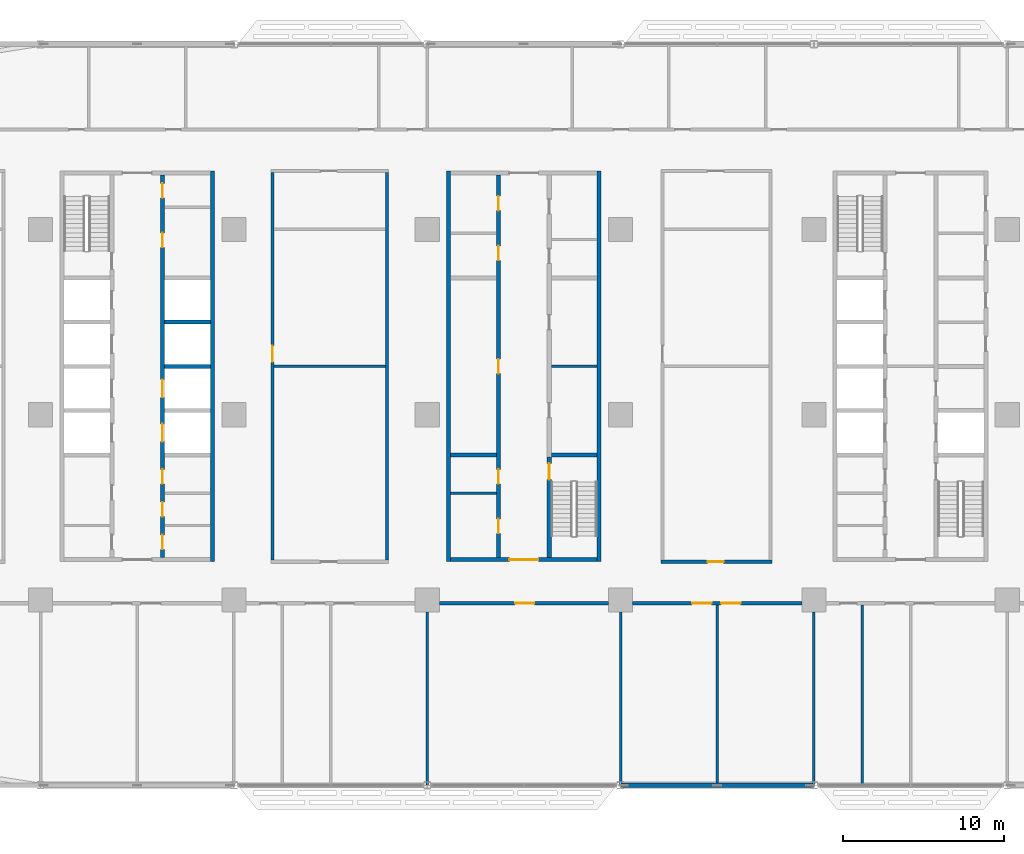
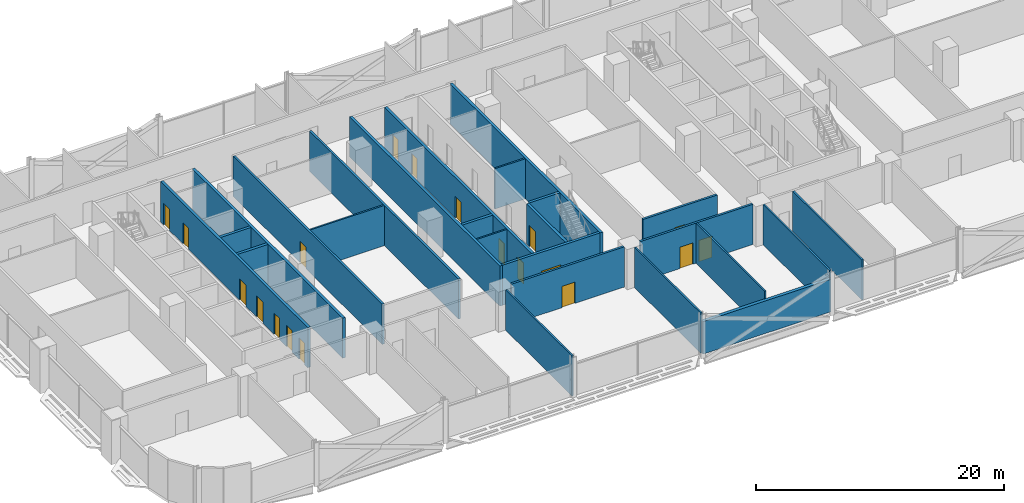
# One storey, part 13 of 29: 25 walls, 19 doors, 19 openings.
"""IFC4 building model written with IfcOpenShell, lengths in metres."""

from ifc_helpers import new_model, si_unit, direction, frame, frame_2d, origin, place, context, subcontext, project, spatial, rectangle, extrude, material, layer, layer_set, type_object, element, fill, save


model = new_model("IFC4")

# Units and contexts
model_context = context("Model", 3, precision=1e-05, world=origin(), true_north=direction((0.0, 1.0)))
body_context = subcontext(model_context, "Body", "Model", "MODEL_VIEW")
ifc_project = project(units=[si_unit("LENGTHUNIT", "METRE"), si_unit("AREAUNIT", "SQUARE_METRE"), si_unit("VOLUMEUNIT", "CUBIC_METRE"), si_unit("PLANEANGLEUNIT", "RADIAN"), si_unit("MASSUNIT", "GRAM", prefix="KILO")], contexts=[model_context])

# Site, building, storey
site_placement = place(None, origin())
site = spatial("IfcSite", under=ifc_project, at=site_placement, CompositionType="ELEMENT")
building_placement = place(site_placement, origin())
building = spatial("IfcBuilding", under=site, at=building_placement, Name="Mahtab Terrace Research Tower", CompositionType="ELEMENT")
storey_placement = place(building_placement, frame((0.0, 0.0, 54.60009765625)))
storey = spatial("IfcBuildingStorey", under=building, at=storey_placement, Name="L12", CompositionType="ELEMENT", Elevation=54.60009765625)

# Walls
ifc_material_1 = material(Name="Gypsum board partition")
ifc_layer_1 = layer(ifc_material_1, 0.14990234375)
ifc_layer_set_1 = layer_set([ifc_layer_1], Name="Core partition 150")
wall_type_1 = type_object("IfcWallType", Name="Core partition 150", PredefinedType="PARTITIONING", material=ifc_layer_set_1)
for number, where, z_axis, x_axis, name in (
    (1, (1.699951171875, 3.0, 0.0), (0.0, 0.0, 1.0), (1.0, 0.0, 0.0), "Core wall B pEL0"),
    (2, (-4.550048828125, -4.875, 0.0), (0.0, 0.0, 1.0), (1.0, 0.0, 0.0), "Core wall B pWS-788"),
):
    element("IfcWall", number, at=place(storey_placement, frame(where, z_axis=z_axis, x_axis=x_axis)), inside=storey, type_object=wall_type_1, Name=name, PredefinedType="PARTITIONING", context=body_context, shape_type="SweptSolid", body=[
        extrude(rectangle(XDim=2.85009765625, YDim=0.14990234375, at=frame_2d((1.425048828125, 0.0))), origin(), (0.0, 0.0, 1.0), 3.9599609375),
    ])
ifc_material_2 = material(Name="Concrete C70/85", Category="concrete")
ifc_layer_2 = layer(ifc_material_2, 0.25)
ifc_layer_set_2 = layer_set([ifc_layer_2], Name="Core wall 250")
wall_type_2 = type_object("IfcWallType", Name="Core wall 250", PredefinedType="SOLIDWALL", material=ifc_layer_set_2)
wall_1_placement = place(storey_placement, frame((-19.324951171875, -9.125, 0.0), z_axis=(0.0, 0.0, 1.0), x_axis=(0.0, 1.0, 0.0)))
element("IfcWall", 3, at=wall_1_placement, inside=storey, type_object=wall_type_2, Name="Core wall A outerE", PredefinedType="SOLIDWALL", context=body_context, shape_type="SweptSolid", body=[
    extrude(rectangle(XDim=24.25, YDim=0.25, at=frame_2d((12.125, 0.0))), origin(), (0.0, 0.0, 1.0), 3.9599609375),
])

# Wall, openings, doors
wall_2_placement = place(storey_placement, frame((-22.425048828125, 14.875, 0.0), z_axis=(0.0, 0.0, 1.0), x_axis=(0.0, -1.0, 0.0)))
wall_2 = element("IfcWall", 4, at=wall_2_placement, inside=storey, type_object=wall_type_2, Name="Core wall A innerESLN", PredefinedType="SOLIDWALL", context=body_context, shape_type="SweptSolid", body=[
    extrude(rectangle(XDim=23.75, YDim=0.25, at=frame_2d((11.875, 0.0))), origin(), (0.0, 0.0, 1.0), 3.9599609375),
])
opening_1_placement = place(wall_2_placement, frame((15.449951171875, 0.0, 0.0)))
opening_1 = element("IfcOpeningElement", 5, at=opening_1_placement, cuts=wall_2, Name="Opening LD05-L12", PredefinedType="OPENING", context=body_context, shape_type="SweptSolid", body=[
    extrude(rectangle(XDim=1.10009765625, YDim=2.10009765625, at=frame_2d((0.550048828125, 1.050048828125))), frame((0.0, 0.135009765625, 0.0), z_axis=(0.0, -1.0, 0.0), x_axis=(1.0, 0.0, 0.0)), (0.0, 0.0, 1.0), 0.27001953125),
])
opening_2_placement = place(wall_2_placement, frame((12.699951171875, 0.0, 0.0)))
opening_2 = element("IfcOpeningElement", 6, at=opening_2_placement, cuts=wall_2, Name="Opening LD06-L12", PredefinedType="OPENING", context=body_context, shape_type="SweptSolid", body=[
    extrude(rectangle(XDim=1.10009765625, YDim=2.10009765625, at=frame_2d((0.550048828125, 1.050048828125))), frame((0.0, 0.135009765625, 0.0), z_axis=(0.0, -1.0, 0.0), x_axis=(1.0, 0.0, 0.0)), (0.0, 0.0, 1.0), 0.27001953125),
])
opening_3_placement = place(wall_2_placement, frame((22.33740234375, 0.0, 0.0)))
opening_3 = element("IfcOpeningElement", 7, at=opening_3_placement, cuts=wall_2, Name="Opening A-R3", PredefinedType="OPENING", context=body_context, shape_type="SweptSolid", body=[
    extrude(rectangle(XDim=0.89990234375, YDim=2.10009765625, at=frame_2d((0.449951171875, 1.050048828125))), frame((0.0, 0.135009765625, 0.0), z_axis=(0.0, -1.0, 0.0), x_axis=(1.0, 0.0, 0.0)), (0.0, 0.0, 1.0), 0.27001953125),
])
opening_4_placement = place(wall_2_placement, frame((20.300048828125, 0.0, 0.0)))
opening_4 = element("IfcOpeningElement", 8, at=opening_4_placement, cuts=wall_2, Name="Opening A-R4", PredefinedType="OPENING", context=body_context, shape_type="SweptSolid", body=[
    extrude(rectangle(XDim=0.89990234375, YDim=2.10009765625, at=frame_2d((0.449951171875, 1.050048828125))), frame((0.0, 0.135009765625, 0.0), z_axis=(0.0, -1.0, 0.0), x_axis=(1.0, 0.0, 0.0)), (0.0, 0.0, 1.0), 0.27001953125),
])
opening_5_placement = place(wall_2_placement, frame((18.262451171875, 0.0, 0.0)))
opening_5 = element("IfcOpeningElement", 9, at=opening_5_placement, cuts=wall_2, Name="Opening A-R5", PredefinedType="OPENING", context=body_context, shape_type="SweptSolid", body=[
    extrude(rectangle(XDim=0.89990234375, YDim=2.10009765625, at=frame_2d((0.449951171875, 1.050048828125))), frame((0.0, 0.135009765625, 0.0), z_axis=(0.0, -1.0, 0.0), x_axis=(1.0, 0.0, 0.0)), (0.0, 0.0, 1.0), 0.27001953125),
])
opening_6_placement = place(wall_2_placement, frame((3.58740234375, 0.0, 0.0)))
opening_6 = element("IfcOpeningElement", 10, at=opening_6_placement, cuts=wall_2, Name="Opening A-R6", PredefinedType="OPENING", context=body_context, shape_type="SweptSolid", body=[
    extrude(rectangle(XDim=0.89990234375, YDim=2.10009765625, at=frame_2d((0.449951171875, 1.050048828125))), frame((0.0, 0.135009765625, 0.0), z_axis=(0.0, -1.0, 0.0), x_axis=(1.0, 0.0, 0.0)), (0.0, 0.0, 1.0), 0.27001953125),
])
opening_7_placement = place(wall_2_placement, frame((0.512451171875, 0.0, 0.0)))
opening_7 = element("IfcOpeningElement", 11, at=opening_7_placement, cuts=wall_2, Name="Opening A-R7", PredefinedType="OPENING", context=body_context, shape_type="SweptSolid", body=[
    extrude(rectangle(XDim=0.89990234375, YDim=2.10009765625, at=frame_2d((0.449951171875, 1.050048828125))), frame((0.0, 0.135009765625, 0.0), z_axis=(0.0, -1.0, 0.0), x_axis=(1.0, 0.0, 0.0)), (0.0, 0.0, 1.0), 0.27001953125),
])
ifc_material_3 = material(Name="Stainless steel AISI 304", Category="steel")
door_type_1 = type_object("IfcDoorType", Name="Landing door 1100x2100", OperationType="DOUBLE_DOOR_SLIDING", PredefinedType="DOOR", material=ifc_material_3)
door_1_placement = place(opening_1_placement, origin())
door_1 = element("IfcDoor", 12, at=door_1_placement, inside=storey, type_object=door_type_1, Name="Landing door LR5 L12", OperationType="DOUBLE_DOOR_SLIDING", OverallHeight=2.10009765625, OverallWidth=1.10009765625, PredefinedType="DOOR", context=body_context, shape_type="SweptSolid", body=[
    extrude(rectangle(XDim=1.10009765625, YDim=2.10009765625, at=frame_2d((0.550048828125, 1.050048828125))), frame((0.0, 0.02490234375, 0.0), z_axis=(0.0, -1.0, 0.0), x_axis=(1.0, 0.0, 0.0)), (0.0, 0.0, 1.0), 0.050048828125),
])
fill(opening_1, door_1)
door_2_placement = place(opening_2_placement, origin())
door_2 = element("IfcDoor", 13, at=door_2_placement, inside=storey, type_object=door_type_1, Name="Landing door LR6 L12", OperationType="DOUBLE_DOOR_SLIDING", OverallHeight=2.10009765625, OverallWidth=1.10009765625, PredefinedType="DOOR", context=body_context, shape_type="SweptSolid", body=[
    extrude(rectangle(XDim=1.10009765625, YDim=2.10009765625, at=frame_2d((0.550048828125, 1.050048828125))), frame((0.0, 0.02490234375, 0.0), z_axis=(0.0, -1.0, 0.0), x_axis=(1.0, 0.0, 0.0)), (0.0, 0.0, 1.0), 0.050048828125),
])
fill(opening_2, door_2)
ifc_material_4 = material(Name="Steel fire door", Category="steel")
door_type_2 = type_object("IfcDoorType", Name="Room door 900x2100 1 HR", OperationType="NOTDEFINED", PredefinedType="DOOR", material=ifc_material_4)
door_3_placement = place(opening_3_placement, origin())
door_3 = element("IfcDoor", 14, at=door_3_placement, inside=storey, type_object=door_type_2, Name="Comms riser room door", OperationType="SINGLE_SWING_LEFT", OverallHeight=2.10009765625, OverallWidth=0.89990234375, PredefinedType="DOOR", context=body_context, shape_type="SweptSolid", body=[
    extrude(rectangle(XDim=0.89990234375, YDim=2.10009765625, at=frame_2d((0.449951171875, 1.050048828125))), frame((0.0, 0.02490234375, 0.0), z_axis=(0.0, -1.0, 0.0), x_axis=(1.0, 0.0, 0.0)), (0.0, 0.0, 1.0), 0.050048828125),
])
fill(opening_3, door_3)
door_4_placement = place(opening_4_placement, origin())
door_4 = element("IfcDoor", 15, at=door_4_placement, inside=storey, type_object=door_type_2, Name="Pantry door", OperationType="SINGLE_SWING_RIGHT", OverallHeight=2.10009765625, OverallWidth=0.89990234375, PredefinedType="DOOR", context=body_context, shape_type="SweptSolid", body=[
    extrude(rectangle(XDim=0.89990234375, YDim=2.10009765625, at=frame_2d((0.449951171875, 1.050048828125))), frame((0.0, 0.02490234375, 0.0), z_axis=(0.0, -1.0, 0.0), x_axis=(1.0, 0.0, 0.0)), (0.0, 0.0, 1.0), 0.050048828125),
])
fill(opening_4, door_4)
door_5_placement = place(opening_5_placement, origin())
door_5 = element("IfcDoor", 16, at=door_5_placement, inside=storey, type_object=door_type_2, Name="Cleaners store door", OperationType="SINGLE_SWING_LEFT", OverallHeight=2.10009765625, OverallWidth=0.89990234375, PredefinedType="DOOR", context=body_context, shape_type="SweptSolid", body=[
    extrude(rectangle(XDim=0.89990234375, YDim=2.10009765625, at=frame_2d((0.449951171875, 1.050048828125))), frame((0.0, 0.02490234375, 0.0), z_axis=(0.0, -1.0, 0.0), x_axis=(1.0, 0.0, 0.0)), (0.0, 0.0, 1.0), 0.050048828125),
])
fill(opening_5, door_5)
door_6_placement = place(opening_6_placement, origin())
door_6 = element("IfcDoor", 17, at=door_6_placement, inside=storey, type_object=door_type_2, Name="IT equipment room door", OperationType="SINGLE_SWING_RIGHT", OverallHeight=2.10009765625, OverallWidth=0.89990234375, PredefinedType="DOOR", context=body_context, shape_type="SweptSolid", body=[
    extrude(rectangle(XDim=0.89990234375, YDim=2.10009765625, at=frame_2d((0.449951171875, 1.050048828125))), frame((0.0, 0.02490234375, 0.0), z_axis=(0.0, -1.0, 0.0), x_axis=(1.0, 0.0, 0.0)), (0.0, 0.0, 1.0), 0.050048828125),
])
fill(opening_6, door_6)
door_7_placement = place(opening_7_placement, origin())
door_7 = element("IfcDoor", 18, at=door_7_placement, inside=storey, type_object=door_type_2, Name="Electrical riser room door", OperationType="SINGLE_SWING_LEFT", OverallHeight=2.10009765625, OverallWidth=0.89990234375, PredefinedType="DOOR", context=body_context, shape_type="SweptSolid", body=[
    extrude(rectangle(XDim=0.89990234375, YDim=2.10009765625, at=frame_2d((0.449951171875, 1.050048828125))), frame((0.0, 0.02490234375, 0.0), z_axis=(0.0, -1.0, 0.0), x_axis=(1.0, 0.0, 0.0)), (0.0, 0.0, 1.0), 0.050048828125),
])
fill(opening_7, door_7)

# Walls
for number, where, z_axis, x_axis, name in (
    (19, (-22.300048828125, 3.0, 0.0), (0.0, 0.0, 1.0), (1.0, 0.0, 0.0), "Core wall A divE2"),
    (20, (-22.300048828125, 5.75, 0.0), (0.0, 0.0, 1.0), (1.0, 0.0, 0.0), "Core wall A divE3"),
):
    element("IfcWall", number, at=place(storey_placement, frame(where, z_axis=z_axis, x_axis=x_axis)), inside=storey, type_object=wall_type_2, Name=name, PredefinedType="SOLIDWALL", context=body_context, shape_type="SweptSolid", body=[
        extrude(rectangle(XDim=2.85009765625, YDim=0.25, at=frame_2d((1.425048828125, 0.0))), origin(), (0.0, 0.0, 1.0), 3.9599609375),
    ])
for number, where, z_axis, x_axis, name in (
    (21, (-4.675048828125, 15.125, 0.0), (0.0, 0.0, 1.0), (0.0, -1.0, 0.0), "Core wall B outerW"),
    (22, (4.675048828125, -9.125, 0.0), (0.0, 0.0, 1.0), (0.0, 1.0, 0.0), "Core wall B outerE"),
):
    element("IfcWall", number, at=place(storey_placement, frame(where, z_axis=z_axis, x_axis=x_axis)), inside=storey, type_object=wall_type_2, Name=name, PredefinedType="SOLIDWALL", context=body_context, shape_type="SweptSolid", body=[
        extrude(rectangle(XDim=24.25, YDim=0.25, at=frame_2d((12.125, 0.0))), origin(), (0.0, 0.0, 1.0), 3.9599609375),
    ])

# Wall, opening, door
wall_3_placement = place(storey_placement, frame((4.550048828125, -9.0, 0.0), z_axis=(0.0, 0.0, 1.0), x_axis=(-1.0, 0.0, 0.0)))
wall_3 = element("IfcWall", 23, at=wall_3_placement, inside=storey, type_object=wall_type_2, Name="Core wall B endS", PredefinedType="SOLIDWALL", context=body_context, shape_type="SweptSolid", body=[
    extrude(rectangle(XDim=9.10009765625, YDim=0.25, at=frame_2d((4.550048828125, 0.0))), origin(), (0.0, 0.0, 1.0), 3.9599609375),
])
opening_8_placement = place(wall_3_placement, frame((3.64990234375, 0.0, 0.0)))
opening_8 = element("IfcOpeningElement", 24, at=opening_8_placement, cuts=wall_3, Name="Opening B-S1", PredefinedType="OPENING", context=body_context, shape_type="SweptSolid", body=[
    extrude(rectangle(XDim=1.800048828125, YDim=2.10009765625, at=frame_2d((0.89990234375, 1.050048828125))), frame((0.0, 0.135009765625, 0.0), z_axis=(0.0, -1.0, 0.0), x_axis=(1.0, 0.0, 0.0)), (0.0, 0.0, 1.0), 0.27001953125),
])
door_type_3 = type_object("IfcDoorType", Name="Lobby double door 1800x2100 1 HR", OperationType="DOUBLE_DOOR_SINGLE_SWING", PredefinedType="DOOR", material=ifc_material_4)
door_8_placement = place(opening_8_placement, origin())
door_8 = element("IfcDoor", 25, at=door_8_placement, inside=storey, type_object=door_type_3, Name="Core entrance door B S", OperationType="DOUBLE_DOOR_SINGLE_SWING", OverallHeight=2.10009765625, OverallWidth=1.800048828125, PredefinedType="DOOR", context=body_context, shape_type="SweptSolid", body=[
    extrude(rectangle(XDim=1.800048828125, YDim=2.10009765625, at=frame_2d((0.89990234375, 1.050048828125))), frame((0.0, 0.02490234375, 0.0), z_axis=(0.0, -1.0, 0.0), x_axis=(1.0, 0.0, 0.0)), (0.0, 0.0, 1.0), 0.050048828125),
])
fill(opening_8, door_8)

# Wall, openings, doors
wall_4_placement = place(storey_placement, frame((-1.574951171875, -8.875, 0.0), z_axis=(0.0, 0.0, 1.0), x_axis=(0.0, 1.0, 0.0)))
wall_4 = element("IfcWall", 26, at=wall_4_placement, inside=storey, type_object=wall_type_2, Name="Core wall B innerWSLN", PredefinedType="SOLIDWALL", context=body_context, shape_type="SweptSolid", body=[
    extrude(rectangle(XDim=23.75, YDim=0.25, at=frame_2d((11.875, 0.0))), origin(), (0.0, 0.0, 1.0), 3.9599609375),
])
opening_9_placement = place(wall_4_placement, frame((11.425048828125, 0.0, 0.0)))
opening_9 = element("IfcOpeningElement", 27, at=opening_9_placement, cuts=wall_4, Name="Opening B-R1", PredefinedType="OPENING", context=body_context, shape_type="SweptSolid", body=[
    extrude(rectangle(XDim=0.89990234375, YDim=2.10009765625, at=frame_2d((0.449951171875, 1.050048828125))), frame((0.0, 0.135009765625, 0.0), z_axis=(0.0, -1.0, 0.0), x_axis=(1.0, 0.0, 0.0)), (0.0, 0.0, 1.0), 0.27001953125),
])
opening_10_placement = place(wall_4_placement, frame((1.512451171875, 0.0, 0.0)))
opening_10 = element("IfcOpeningElement", 28, at=opening_10_placement, cuts=wall_4, Name="Opening B-R4", PredefinedType="OPENING", context=body_context, shape_type="SweptSolid", body=[
    extrude(rectangle(XDim=0.89990234375, YDim=2.10009765625, at=frame_2d((0.449951171875, 1.050048828125))), frame((0.0, 0.135009765625, 0.0), z_axis=(0.0, -1.0, 0.0), x_axis=(1.0, 0.0, 0.0)), (0.0, 0.0, 1.0), 0.27001953125),
])
opening_11_placement = place(wall_4_placement, frame((4.58740234375, 0.0, 0.0)))
opening_11 = element("IfcOpeningElement", 29, at=opening_11_placement, cuts=wall_4, Name="Opening B-R5", PredefinedType="OPENING", context=body_context, shape_type="SweptSolid", body=[
    extrude(rectangle(XDim=0.89990234375, YDim=2.10009765625, at=frame_2d((0.449951171875, 1.050048828125))), frame((0.0, 0.135009765625, 0.0), z_axis=(0.0, -1.0, 0.0), x_axis=(1.0, 0.0, 0.0)), (0.0, 0.0, 1.0), 0.27001953125),
])
opening_12_placement = place(wall_4_placement, frame((18.46240234375, 0.0, 0.0)))
opening_12 = element("IfcOpeningElement", 30, at=opening_12_placement, cuts=wall_4, Name="Opening B-R6", PredefinedType="OPENING", context=body_context, shape_type="SweptSolid", body=[
    extrude(rectangle(XDim=0.89990234375, YDim=2.10009765625, at=frame_2d((0.449951171875, 1.050048828125))), frame((0.0, 0.135009765625, 0.0), z_axis=(0.0, -1.0, 0.0), x_axis=(1.0, 0.0, 0.0)), (0.0, 0.0, 1.0), 0.27001953125),
])
opening_13_placement = place(wall_4_placement, frame((21.53759765625, 0.0, 0.0)))
opening_13 = element("IfcOpeningElement", 31, at=opening_13_placement, cuts=wall_4, Name="Opening B-R7", PredefinedType="OPENING", context=body_context, shape_type="SweptSolid", body=[
    extrude(rectangle(XDim=0.89990234375, YDim=2.10009765625, at=frame_2d((0.449951171875, 1.050048828125))), frame((0.0, 0.135009765625, 0.0), z_axis=(0.0, -1.0, 0.0), x_axis=(1.0, 0.0, 0.0)), (0.0, 0.0, 1.0), 0.27001953125),
])
door_9_placement = place(opening_9_placement, origin())
door_9 = element("IfcDoor", 32, at=door_9_placement, inside=storey, type_object=door_type_2, Name="Plant room door", OperationType="SINGLE_SWING_LEFT", OverallHeight=2.10009765625, OverallWidth=0.89990234375, PredefinedType="DOOR", context=body_context, shape_type="SweptSolid", body=[
    extrude(rectangle(XDim=0.89990234375, YDim=2.10009765625, at=frame_2d((0.449951171875, 1.050048828125))), frame((0.0, 0.02490234375, 0.0), z_axis=(0.0, -1.0, 0.0), x_axis=(1.0, 0.0, 0.0)), (0.0, 0.0, 1.0), 0.050048828125),
])
fill(opening_9, door_9)
door_10_placement = place(opening_10_placement, origin())
door_10 = element("IfcDoor", 33, at=door_10_placement, inside=storey, type_object=door_type_2, Name="IT equipment room door", OperationType="SINGLE_SWING_RIGHT", OverallHeight=2.10009765625, OverallWidth=0.89990234375, PredefinedType="DOOR", context=body_context, shape_type="SweptSolid", body=[
    extrude(rectangle(XDim=0.89990234375, YDim=2.10009765625, at=frame_2d((0.449951171875, 1.050048828125))), frame((0.0, 0.02490234375, 0.0), z_axis=(0.0, -1.0, 0.0), x_axis=(1.0, 0.0, 0.0)), (0.0, 0.0, 1.0), 0.050048828125),
])
fill(opening_10, door_10)
door_11_placement = place(opening_11_placement, origin())
door_11 = element("IfcDoor", 34, at=door_11_placement, inside=storey, type_object=door_type_2, Name="Electrical riser room door", OperationType="SINGLE_SWING_LEFT", OverallHeight=2.10009765625, OverallWidth=0.89990234375, PredefinedType="DOOR", context=body_context, shape_type="SweptSolid", body=[
    extrude(rectangle(XDim=0.89990234375, YDim=2.10009765625, at=frame_2d((0.449951171875, 1.050048828125))), frame((0.0, 0.02490234375, 0.0), z_axis=(0.0, -1.0, 0.0), x_axis=(1.0, 0.0, 0.0)), (0.0, 0.0, 1.0), 0.050048828125),
])
fill(opening_11, door_11)
door_12_placement = place(opening_12_placement, origin())
door_12 = element("IfcDoor", 35, at=door_12_placement, inside=storey, type_object=door_type_2, Name="Mechanical riser room door", OperationType="SINGLE_SWING_RIGHT", OverallHeight=2.10009765625, OverallWidth=0.89990234375, PredefinedType="DOOR", context=body_context, shape_type="SweptSolid", body=[
    extrude(rectangle(XDim=0.89990234375, YDim=2.10009765625, at=frame_2d((0.449951171875, 1.050048828125))), frame((0.0, 0.02490234375, 0.0), z_axis=(0.0, -1.0, 0.0), x_axis=(1.0, 0.0, 0.0)), (0.0, 0.0, 1.0), 0.050048828125),
])
fill(opening_12, door_12)
door_13_placement = place(opening_13_placement, origin())
door_13 = element("IfcDoor", 36, at=door_13_placement, inside=storey, type_object=door_type_2, Name="Chemical store door", OperationType="SINGLE_SWING_LEFT", OverallHeight=2.10009765625, OverallWidth=0.89990234375, PredefinedType="DOOR", context=body_context, shape_type="SweptSolid", body=[
    extrude(rectangle(XDim=0.89990234375, YDim=2.10009765625, at=frame_2d((0.449951171875, 1.050048828125))), frame((0.0, 0.02490234375, 0.0), z_axis=(0.0, -1.0, 0.0), x_axis=(1.0, 0.0, 0.0)), (0.0, 0.0, 1.0), 0.050048828125),
])
fill(opening_13, door_13)

# Wall, opening, door
wall_5_placement = place(storey_placement, frame((1.574951171875, -8.875, 0.0), z_axis=(0.0, 0.0, 1.0), x_axis=(0.0, 1.0, 0.0)))
wall_5 = element("IfcWall", 37, at=wall_5_placement, inside=storey, type_object=wall_type_2, Name="Core wall B innerES", PredefinedType="SOLIDWALL", context=body_context, shape_type="SweptSolid", body=[
    extrude(rectangle(XDim=6.25, YDim=0.25, at=frame_2d((3.125, 0.0))), origin(), (0.0, 0.0, 1.0), 3.9599609375),
])
opening_14_placement = place(wall_5_placement, frame((4.85009765625, 0.0, 0.0)))
opening_14 = element("IfcOpeningElement", 38, at=opening_14_placement, cuts=wall_5, Name="Opening B-ST2", PredefinedType="OPENING", context=body_context, shape_type="SweptSolid", body=[
    extrude(rectangle(XDim=1.0, YDim=2.10009765625, at=frame_2d((0.5, 1.050048828125))), frame((0.0, 0.135009765625, 0.0), z_axis=(0.0, -1.0, 0.0), x_axis=(1.0, 0.0, 0.0)), (0.0, 0.0, 1.0), 0.27001953125),
])
door_type_4 = type_object("IfcDoorType", Name="Stair door 1000x2100 1.5 HR", OperationType="NOTDEFINED", PredefinedType="DOOR", material=ifc_material_4)
door_14_placement = place(opening_14_placement, origin())
door_14 = element("IfcDoor", 39, at=door_14_placement, inside=storey, type_object=door_type_4, Name="Stair door ST2 L12", OperationType="SINGLE_SWING_RIGHT", OverallHeight=2.10009765625, OverallWidth=1.0, PredefinedType="DOOR", context=body_context, shape_type="SweptSolid", body=[
    extrude(rectangle(XDim=1.0, YDim=2.10009765625, at=frame_2d((0.5, 1.050048828125))), frame((0.0, 0.02490234375, 0.0), z_axis=(0.0, -1.0, 0.0), x_axis=(1.0, 0.0, 0.0)), (0.0, 0.0, 1.0), 0.050048828125),
])
fill(opening_14, door_14)

# Walls
for number, where, z_axis, x_axis, name in (
    (40, (-4.550048828125, -2.5, 0.0), (0.0, 0.0, 1.0), (1.0, 0.0, 0.0), "Core wall B divW0"),
    (41, (1.699951171875, -2.5, 0.0), (0.0, 0.0, 1.0), (1.0, 0.0, 0.0), "Core wall B divE0"),
):
    element("IfcWall", number, at=place(storey_placement, frame(where, z_axis=z_axis, x_axis=x_axis)), inside=storey, type_object=wall_type_2, Name=name, PredefinedType="SOLIDWALL", context=body_context, shape_type="SweptSolid", body=[
        extrude(rectangle(XDim=2.85009765625, YDim=0.25, at=frame_2d((1.425048828125, 0.0))), origin(), (0.0, 0.0, 1.0), 3.9599609375),
    ])
ifc_material_5 = material(Name="Black aluminium cladding panel", Category="aluminium")
ifc_layer_3 = layer(ifc_material_5, 0.300048828125)
ifc_layer_set_3 = layer_set([ifc_layer_3], Name="Opaque facade wall 300")
wall_type_3 = type_object("IfcWallType", Name="Opaque facade wall 300", PredefinedType="NOTDEFINED", material=ifc_layer_set_3)
wall_6_placement = place(storey_placement, frame((6.02392578125, -23.0, 0.0), z_axis=(0.0, 0.0, 1.0), x_axis=(1.0, 0.0, 0.0)))
element("IfcWall", 42, at=wall_6_placement, inside=storey, type_object=wall_type_3, Name="Opaque facade wall L12 S27", PredefinedType="NOTDEFINED", context=body_context, shape_type="SweptSolid", body=[
    extrude(rectangle(XDim=11.9521484375, YDim=0.300048828125, at=frame_2d((5.97607421875, 0.0))), origin(), (0.0, 0.0, 1.0), 3.202880859375),
])

# Wall, opening, door
ifc_material_6 = material(Name="Gypsum board corridor wall on steel studs", Category="steel")
ifc_layer_4 = layer(ifc_material_6, 0.199951171875)
ifc_layer_set_4 = layer_set([ifc_layer_4], Name="WALL CORRIDOR 200")
wall_type_4 = type_object("IfcWallType", Name="WALL CORRIDOR 200", PredefinedType="PARTITIONING", material=ifc_layer_set_4)
wall_7_placement = place(storey_placement, frame((-5.25, -11.699951171875, 0.0), z_axis=(0.0, 0.0, 1.0), x_axis=(1.0, 0.0, 0.0)))
wall_7 = element("IfcWall", 43, at=wall_7_placement, inside=storey, type_object=wall_type_4, Name="L12-W004", PredefinedType="PARTITIONING", context=body_context, shape_type="SweptSolid", body=[
    extrude(rectangle(XDim=10.5, YDim=0.199951171875, at=frame_2d((5.25, 0.0))), origin(), (0.0, 0.0, 1.0), 3.9599609375),
])
opening_15_placement = place(wall_7_placement, frame((4.699951171875, 0.0, 0.0)))
opening_15 = element("IfcOpeningElement", 44, at=opening_15_placement, cuts=wall_7, Name="Opening L12-107", PredefinedType="OPENING", context=body_context, shape_type="SweptSolid", body=[
    extrude(rectangle(XDim=1.199951171875, YDim=2.10009765625, at=frame_2d((0.60009765625, 1.050048828125))), frame((0.0, 0.10986328125, 0.0), z_axis=(0.0, -1.0, 0.0), x_axis=(1.0, 0.0, 0.0)), (0.0, 0.0, 1.0), 0.219970703125),
])
ifc_material_7 = material(Name="Timber door leaf in steel frame", Category="steel")
door_type_5 = type_object("IfcDoorType", Name="DOOR 1200X2100 FD30S", OperationType="SINGLE_SWING_LEFT", PredefinedType="DOOR", material=ifc_material_7)
door_15_placement = place(opening_15_placement, origin())
door_15 = element("IfcDoor", 45, at=door_15_placement, inside=storey, type_object=door_type_5, Name="Door L12-107", OperationType="SINGLE_SWING_LEFT", OverallHeight=2.10009765625, OverallWidth=1.199951171875, PredefinedType="DOOR", context=body_context, shape_type="SweptSolid", body=[
    extrude(rectangle(XDim=1.199951171875, YDim=2.10009765625, at=frame_2d((0.60009765625, 1.050048828125))), frame((0.0, 0.02490234375, 0.0), z_axis=(0.0, -1.0, 0.0), x_axis=(1.0, 0.0, 0.0)), (0.0, 0.0, 1.0), 0.050048828125),
])
fill(opening_15, door_15)

# Wall, openings, doors
wall_8_placement = place(storey_placement, frame((6.75, -11.699951171875, 0.0), z_axis=(0.0, 0.0, 1.0), x_axis=(1.0, 0.0, 0.0)))
wall_8 = element("IfcWall", 46, at=wall_8_placement, inside=storey, type_object=wall_type_4, Name="L12-W005", PredefinedType="PARTITIONING", context=body_context, shape_type="SweptSolid", body=[
    extrude(rectangle(XDim=10.5, YDim=0.199951171875, at=frame_2d((5.25, 0.0))), origin(), (0.0, 0.0, 1.0), 3.9599609375),
])
opening_16_placement = place(wall_8_placement, frame((3.699951171875, 0.0, 0.0)))
opening_16 = element("IfcOpeningElement", 47, at=opening_16_placement, cuts=wall_8, Name="Opening L12-108", PredefinedType="OPENING", context=body_context, shape_type="SweptSolid", body=[
    extrude(rectangle(XDim=1.199951171875, YDim=2.10009765625, at=frame_2d((0.60009765625, 1.050048828125))), frame((0.0, 0.10986328125, 0.0), z_axis=(0.0, -1.0, 0.0), x_axis=(1.0, 0.0, 0.0)), (0.0, 0.0, 1.0), 0.219970703125),
])
opening_17_placement = place(wall_8_placement, frame((5.5, 0.0, 0.0)))
opening_17 = element("IfcOpeningElement", 48, at=opening_17_placement, cuts=wall_8, Name="Opening L12-109", PredefinedType="OPENING", context=body_context, shape_type="SweptSolid", body=[
    extrude(rectangle(XDim=1.199951171875, YDim=2.10009765625, at=frame_2d((0.60009765625, 1.050048828125))), frame((0.0, 0.10986328125, 0.0), z_axis=(0.0, -1.0, 0.0), x_axis=(1.0, 0.0, 0.0)), (0.0, 0.0, 1.0), 0.219970703125),
])
door_16_placement = place(opening_16_placement, origin())
door_16 = element("IfcDoor", 49, at=door_16_placement, inside=storey, type_object=door_type_5, Name="Door L12-108", OperationType="SINGLE_SWING_RIGHT", OverallHeight=2.10009765625, OverallWidth=1.199951171875, PredefinedType="DOOR", context=body_context, shape_type="SweptSolid", body=[
    extrude(rectangle(XDim=1.199951171875, YDim=2.10009765625, at=frame_2d((0.60009765625, 1.050048828125))), frame((0.0, 0.02490234375, 0.0), z_axis=(0.0, -1.0, 0.0), x_axis=(1.0, 0.0, 0.0)), (0.0, 0.0, 1.0), 0.050048828125),
])
fill(opening_16, door_16)
door_17_placement = place(opening_17_placement, origin())
door_17 = element("IfcDoor", 50, at=door_17_placement, inside=storey, type_object=door_type_5, Name="Door L12-109", OperationType="SINGLE_SWING_LEFT", OverallHeight=2.10009765625, OverallWidth=1.199951171875, PredefinedType="DOOR", context=body_context, shape_type="SweptSolid", body=[
    extrude(rectangle(XDim=1.199951171875, YDim=2.10009765625, at=frame_2d((0.60009765625, 1.050048828125))), frame((0.0, 0.02490234375, 0.0), z_axis=(0.0, -1.0, 0.0), x_axis=(1.0, 0.0, 0.0)), (0.0, 0.0, 1.0), 0.050048828125),
])
fill(opening_17, door_17)

# Wall, opening, door
wall_9_placement = place(storey_placement, frame((8.5, -9.125, 0.0), z_axis=(0.0, 0.0, 1.0), x_axis=(1.0, 0.0, 0.0)))
wall_9 = element("IfcWall", 51, at=wall_9_placement, inside=storey, type_object=wall_type_4, Name="L12-W011", PredefinedType="PARTITIONING", context=body_context, shape_type="SweptSolid", body=[
    extrude(rectangle(XDim=6.89990234375, YDim=0.199951171875, at=frame_2d((3.449951171875, 0.0))), origin(), (0.0, 0.0, 1.0), 3.9599609375),
])
opening_18_placement = place(wall_9_placement, frame((2.89990234375, 0.0, 0.0)))
opening_18 = element("IfcOpeningElement", 52, at=opening_18_placement, cuts=wall_9, Name="Opening L12-118", PredefinedType="OPENING", context=body_context, shape_type="SweptSolid", body=[
    extrude(rectangle(XDim=1.0, YDim=2.10009765625, at=frame_2d((0.5, 1.050048828125))), frame((0.0, 0.10986328125, 0.0), z_axis=(0.0, -1.0, 0.0), x_axis=(1.0, 0.0, 0.0)), (0.0, 0.0, 1.0), 0.219970703125),
])
door_type_6 = type_object("IfcDoorType", Name="DOOR 1000X2100 FD30S", OperationType="SINGLE_SWING_LEFT", PredefinedType="DOOR", material=ifc_material_7)
door_18_placement = place(opening_18_placement, origin())
door_18 = element("IfcDoor", 53, at=door_18_placement, inside=storey, type_object=door_type_6, Name="Door L12-118", OperationType="SINGLE_SWING_LEFT", OverallHeight=2.10009765625, OverallWidth=1.0, PredefinedType="DOOR", context=body_context, shape_type="SweptSolid", body=[
    extrude(rectangle(XDim=1.0, YDim=2.10009765625, at=frame_2d((0.5, 1.050048828125))), frame((0.0, 0.02490234375, 0.0), z_axis=(0.0, -1.0, 0.0), x_axis=(1.0, 0.0, 0.0)), (0.0, 0.0, 1.0), 0.050048828125),
])
fill(opening_18, door_18)

wall_10_placement = place(storey_placement, frame((-15.60009765625, -9.02490234375, 0.0), z_axis=(0.0, 0.0, 1.0), x_axis=(0.0, 1.0, 0.0)))
wall_10 = element("IfcWall", 54, at=wall_10_placement, inside=storey, type_object=wall_type_4, Name="L12-W035", PredefinedType="PARTITIONING", context=body_context, shape_type="SweptSolid", body=[
    extrude(rectangle(XDim=24.0498046875, YDim=0.199951171875, at=frame_2d((12.02490234375, 0.0))), origin(), (0.0, 0.0, 1.0), 3.9599609375),
])
opening_19_placement = place(wall_10_placement, frame((12.300048828125, 0.0, 0.0)))
opening_19 = element("IfcOpeningElement", 55, at=opening_19_placement, cuts=wall_10, Name="Opening L12-122", PredefinedType="OPENING", context=body_context, shape_type="SweptSolid", body=[
    extrude(rectangle(XDim=1.0, YDim=2.10009765625, at=frame_2d((0.5, 1.050048828125))), frame((0.0, 0.10986328125, 0.0), z_axis=(0.0, -1.0, 0.0), x_axis=(1.0, 0.0, 0.0)), (0.0, 0.0, 1.0), 0.219970703125),
])
door_19_placement = place(opening_19_placement, origin())
door_19 = element("IfcDoor", 56, at=door_19_placement, inside=storey, type_object=door_type_6, Name="Door L12-122", OperationType="SINGLE_SWING_LEFT", OverallHeight=2.10009765625, OverallWidth=1.0, PredefinedType="DOOR", context=body_context, shape_type="SweptSolid", body=[
    extrude(rectangle(XDim=1.0, YDim=2.10009765625, at=frame_2d((0.5, 1.050048828125))), frame((0.0, 0.02490234375, 0.0), z_axis=(0.0, -1.0, 0.0), x_axis=(1.0, 0.0, 0.0)), (0.0, 0.0, 1.0), 0.050048828125),
])
fill(opening_19, door_19)

# Walls
wall_11_placement = place(storey_placement, frame((-8.5, -9.02490234375, 0.0), z_axis=(0.0, 0.0, 1.0), x_axis=(0.0, 1.0, 0.0)))
element("IfcWall", 57, at=wall_11_placement, inside=storey, type_object=wall_type_4, Name="L12-W039", PredefinedType="PARTITIONING", context=body_context, shape_type="SweptSolid", body=[
    extrude(rectangle(XDim=24.0498046875, YDim=0.199951171875, at=frame_2d((12.02490234375, 0.0))), origin(), (0.0, 0.0, 1.0), 3.9599609375),
])
ifc_material_8 = material(Name="Gypsum board partition on steel studs", Category="steel")
ifc_layer_5 = layer(ifc_material_8, 0.14990234375)
ifc_layer_set_5 = layer_set([ifc_layer_5], Name="WALL PARTITION 150")
wall_type_5 = type_object("IfcWallType", Name="WALL PARTITION 150", PredefinedType="PARTITIONING", material=ifc_layer_set_5)
wall_12_placement = place(storey_placement, frame((-15.5, 3.0, 0.0), z_axis=(0.0, 0.0, 1.0), x_axis=(1.0, 0.0, 0.0)))
element("IfcWall", 58, at=wall_12_placement, inside=storey, type_object=wall_type_5, Name="L12-W014", PredefinedType="PARTITIONING", context=body_context, shape_type="SweptSolid", body=[
    extrude(rectangle(XDim=6.89990234375, YDim=0.14990234375, at=frame_2d((3.449951171875, 0.0))), origin(), (0.0, 0.0, 1.0), 3.9599609375),
])
for number, where, z_axis, x_axis, name in (
    (59, (-6.0, -22.97509765625, 0.0), (0.0, 0.0, 1.0), (0.0, 1.0, 0.0), "L12-W040"),
    (60, (6.0, -22.97509765625, 0.0), (0.0, 0.0, 1.0), (0.0, 1.0, 0.0), "L12-W043"),
):
    element("IfcWall", number, at=place(storey_placement, frame(where, z_axis=z_axis, x_axis=x_axis)), inside=storey, type_object=wall_type_5, Name=name, PredefinedType="PARTITIONING", context=body_context, shape_type="SweptSolid", body=[
        extrude(rectangle(XDim=10.72509765625, YDim=0.14990234375, at=frame_2d((5.362548828125, 0.0))), origin(), (0.0, 0.0, 1.0), 3.9599609375),
    ])
wall_13_placement = place(storey_placement, frame((12.0, -22.85009765625, 0.0), z_axis=(0.0, 0.0, 1.0), x_axis=(0.0, 1.0, 0.0)))
element("IfcWall", 61, at=wall_13_placement, inside=storey, type_object=wall_type_5, Name="L12-W046", PredefinedType="PARTITIONING", context=body_context, shape_type="SweptSolid", body=[
    extrude(rectangle(XDim=11.050048828125, YDim=0.14990234375, at=frame_2d((5.52490234375, 0.0))), origin(), (0.0, 0.0, 1.0), 3.9599609375),
])
wall_14_placement = place(storey_placement, frame((18.0, -22.97509765625, 0.0), z_axis=(0.0, 0.0, 1.0), x_axis=(0.0, 1.0, 0.0)))
element("IfcWall", 62, at=wall_14_placement, inside=storey, type_object=wall_type_5, Name="L12-W049", PredefinedType="PARTITIONING", context=body_context, shape_type="SweptSolid", body=[
    extrude(rectangle(XDim=10.72509765625, YDim=0.14990234375, at=frame_2d((5.362548828125, 0.0))), origin(), (0.0, 0.0, 1.0), 3.9599609375),
])
wall_15_placement = place(storey_placement, frame((21.0, -22.97509765625, 0.0), z_axis=(0.0, 0.0, 1.0), x_axis=(0.0, 1.0, 0.0)))
element("IfcWall", 63, at=wall_15_placement, inside=storey, type_object=wall_type_5, Name="L12-W050", PredefinedType="PARTITIONING", context=body_context, shape_type="SweptSolid", body=[
    extrude(rectangle(XDim=11.175048828125, YDim=0.14990234375, at=frame_2d((5.58740234375, 0.0))), origin(), (0.0, 0.0, 1.0), 3.9599609375),
])

save(model, "model.ifc")
